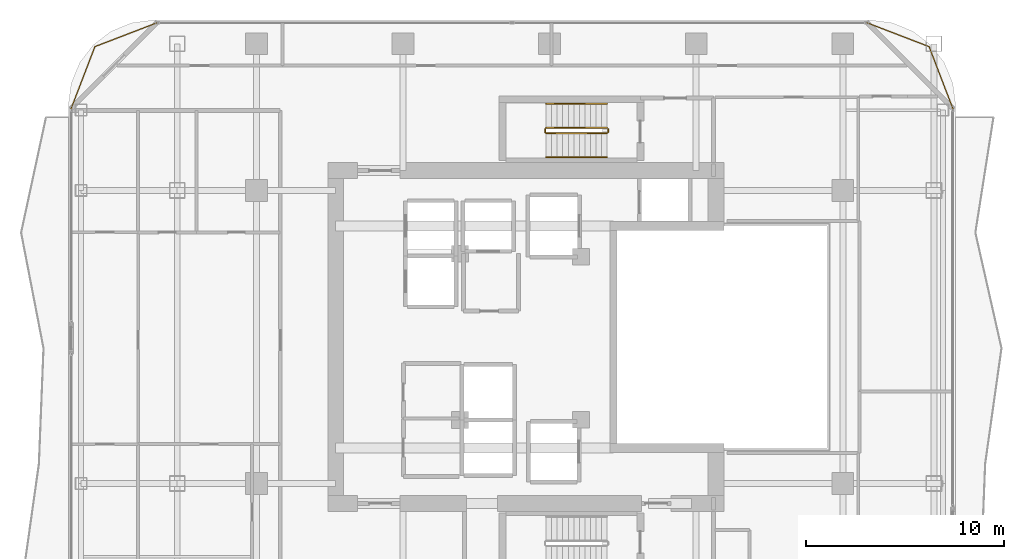
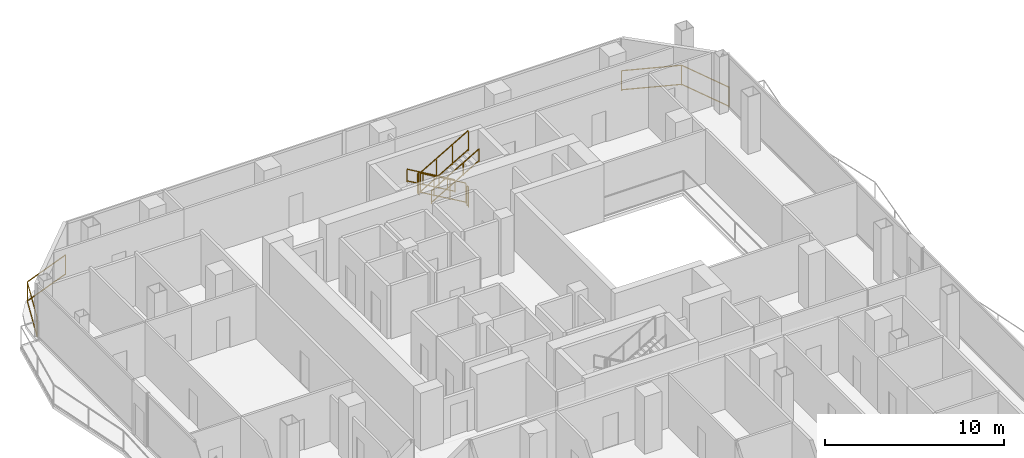
# One storey, part 23 of 23: 8 railings.
"""IFC4 building model written with IfcOpenShell, lengths in metres."""

from ifc_helpers import new_model, si_unit, direction, frame, origin, origin_2d, place, context, subcontext, project, spatial, rectangle, extrude, material, type_object, element, save


model = new_model("IFC4")

# Units and contexts
model_context = context("Model", 3, precision=1e-05, world=origin(), true_north=direction((0.0, 1.0)))
body_context = subcontext(model_context, "Body", "Model", "MODEL_VIEW")
ifc_project = project(units=[si_unit("LENGTHUNIT", "METRE"), si_unit("AREAUNIT", "SQUARE_METRE"), si_unit("VOLUMEUNIT", "CUBIC_METRE"), si_unit("PLANEANGLEUNIT", "RADIAN"), si_unit("MASSUNIT", "GRAM", prefix="KILO")], contexts=[model_context])

# Site, building, storey
site_placement = place(None, origin())
site = spatial("IfcSite", under=ifc_project, at=site_placement, CompositionType="ELEMENT")
building_placement = place(site_placement, origin())
building = spatial("IfcBuilding", under=site, at=building_placement, Name="Khorvyn Point Tower", CompositionType="ELEMENT")
storey_placement = place(building_placement, frame((0.0, 0.0, 207.0)))
storey = spatial("IfcBuildingStorey", under=building, at=storey_placement, Name="L51", CompositionType="ELEMENT", Elevation=207.0)

# Railings
ifc_material_1 = material(Name="Anodised aluminium 6063-T6 and laminated safety glass", Category="aluminium")
railing_type_1 = type_object("IfcRailingType", Name="Laminated Glass and Aluminium Balcony Guardrail 1400", PredefinedType="BALUSTRADE", material=ifc_material_1)
railing_1_placement = place(storey_placement, frame((-19.78125, 15.874267578125, 0.0)))
element("IfcRailing", 1, at=railing_1_placement, inside=storey, type_object=railing_type_1, Name="L51 Rounded Corner Edge Guardrail NW", PredefinedType="BALUSTRADE", context=body_context, shape_type="SweptSolid", body=[
    extrude(rectangle(XDim=0.048095703125, YDim=0.048095703125, at=origin_2d()), frame((0.0, 0.0, 1.3759765625), z_axis=(-0.933589651443, -0.358343916815, 0.0), x_axis=(0.358343916815, -0.933589651443, 0.0)), (0.0, 0.0, 1.0), 3.400390625),
    extrude(rectangle(XDim=0.048095703125, YDim=0.048095703125, at=origin_2d()), frame((0.0, 0.0, 0.080078125), z_axis=(-0.933589651443, -0.358343916815, 0.0), x_axis=(0.358343916815, -0.933589651443, 0.0)), (0.0, 0.0, 1.0), 3.400390625),
    extrude(rectangle(XDim=0.048095703125, YDim=0.048095703125, at=origin_2d()), frame((-3.174560546875, -1.218505859375, 1.3759765625), z_axis=(-0.358343916815, -0.933589651443, 0.0), x_axis=(0.933589651443, -0.358343916815, 0.0)), (0.0, 0.0, 1.0), 3.400390625),
    extrude(rectangle(XDim=0.048095703125, YDim=0.048095703125, at=origin_2d()), frame((-3.174560546875, -1.218505859375, 0.080078125), z_axis=(-0.358343916815, -0.933589651443, 0.0), x_axis=(0.933589651443, -0.358343916815, 0.0)), (0.0, 0.0, 1.0), 3.400390625),
    extrude(rectangle(XDim=0.0419921875, YDim=0.0419921875, at=origin_2d()), origin(), (0.0, 0.0, 1.0), 1.351806640625),
    extrude(rectangle(XDim=0.0419921875, YDim=0.0419921875, at=origin_2d()), frame((-3.174560546875, -1.218505859375, 0.0)), (0.0, 0.0, 1.0), 1.351806640625),
    extrude(rectangle(XDim=0.0419921875, YDim=0.0419921875, at=origin_2d()), frame((-4.39306640625, -4.39306640625, 0.0)), (0.0, 0.0, 1.0), 1.351806640625),
])
railing_2_placement = place(storey_placement, frame((20.374267578125, 11.481201171875, 0.0)))
element("IfcRailing", 2, at=railing_2_placement, inside=storey, type_object=railing_type_1, Name="L51 Rounded Corner Edge Guardrail NE", PredefinedType="BALUSTRADE", context=body_context, shape_type="SweptSolid", body=[
    extrude(rectangle(XDim=0.048095703125, YDim=0.048095703125, at=origin_2d()), frame((0.0, 0.0, 1.3759765625), z_axis=(-0.358343916815, 0.933589651443, 0.0), x_axis=(-0.933589651443, -0.358343916815, 0.0)), (0.0, 0.0, 1.0), 3.400390625),
    extrude(rectangle(XDim=0.048095703125, YDim=0.048095703125, at=origin_2d()), frame((0.0, 0.0, 0.080078125), z_axis=(-0.358343916815, 0.933589651443, 0.0), x_axis=(-0.933589651443, -0.358343916815, 0.0)), (0.0, 0.0, 1.0), 3.400390625),
    extrude(rectangle(XDim=0.048095703125, YDim=0.048095703125, at=origin_2d()), frame((-1.218505859375, 3.174560546875, 1.3759765625), z_axis=(-0.933589651443, 0.358343916815, 0.0), x_axis=(-0.358343916815, -0.933589651443, 0.0)), (0.0, 0.0, 1.0), 3.400390625),
    extrude(rectangle(XDim=0.048095703125, YDim=0.048095703125, at=origin_2d()), frame((-1.218505859375, 3.174560546875, 0.080078125), z_axis=(-0.933589651443, 0.358343916815, 0.0), x_axis=(-0.358343916815, -0.933589651443, 0.0)), (0.0, 0.0, 1.0), 3.400390625),
    extrude(rectangle(XDim=0.0419921875, YDim=0.0419921875, at=origin_2d()), origin(), (0.0, 0.0, 1.0), 1.351806640625),
    extrude(rectangle(XDim=0.0419921875, YDim=0.0419921875, at=origin_2d()), frame((-1.218505859375, 3.174560546875, 0.0)), (0.0, 0.0, 1.0), 1.351806640625),
    extrude(rectangle(XDim=0.0419921875, YDim=0.0419921875, at=origin_2d()), frame((-4.39306640625, 4.39306640625, 0.0)), (0.0, 0.0, 1.0), 1.351806640625),
])
ifc_material_2 = material(Name="Stainless steel 1.4301", Category="steel")
railing_type_2 = type_object("IfcRailingType", Name="Stainless Steel 304 Stair Pitch Handrail 900", PredefinedType="HANDRAIL", material=ifc_material_2)
railing_3_placement = place(storey_placement, frame((2.89990234375, 11.77001953125, 0.16259765625)))
element("IfcRailing", 3, at=railing_3_placement, inside=storey, type_object=railing_type_2, Name="L51 ST-02 stair handrail 1", PredefinedType="HANDRAIL", context=body_context, shape_type="SweptSolid", body=[
    extrude(rectangle(XDim=0.048095703125, YDim=0.048095703125, at=origin_2d()), frame((0.0, 0.0, 0.8759765625), z_axis=(-0.864903211148, 0.0, 0.501938676878), x_axis=(0.0, -1.0, 0.0)), (0.0, 0.0, 1.0), 3.560791015625),
    extrude(rectangle(XDim=0.048095703125, YDim=0.048095703125, at=origin_2d()), frame((0.0, 0.0, 0.080078125), z_axis=(-0.864903211148, 0.0, 0.501938676878), x_axis=(0.0, -1.0, 0.0)), (0.0, 0.0, 1.0), 3.560791015625),
    extrude(rectangle(XDim=0.0419921875, YDim=0.0419921875, at=origin_2d()), origin(), (0.0, 0.0, 1.0), 0.851806640625),
    extrude(rectangle(XDim=0.0419921875, YDim=0.0419921875, at=origin_2d()), frame((-1.026611328125, 0.0, 0.595703125)), (0.0, 0.0, 1.0), 0.851806640625),
    extrude(rectangle(XDim=0.0419921875, YDim=0.0419921875, at=origin_2d()), frame((-2.05322265625, 0.0, 1.191650390625)), (0.0, 0.0, 1.0), 0.851806640625),
    extrude(rectangle(XDim=0.0419921875, YDim=0.0419921875, at=origin_2d()), frame((-3.079833984375, 0.0, 1.787353515625)), (0.0, 0.0, 1.0), 0.851806640625),
])
railing_4_placement = place(storey_placement, frame((-0.179931640625, 9.070068359375, 2.112548828125)))
element("IfcRailing", 4, at=railing_4_placement, inside=storey, type_object=railing_type_2, Name="L51 ST-02 stair handrail 2", PredefinedType="HANDRAIL", context=body_context, shape_type="SweptSolid", body=[
    extrude(rectangle(XDim=0.048095703125, YDim=0.048095703125, at=origin_2d()), frame((0.0, 0.0, 0.8759765625), z_axis=(0.864903211148, 0.0, 0.501938676878), x_axis=(0.0, 1.0, 0.0)), (0.0, 0.0, 1.0), 3.560791015625),
    extrude(rectangle(XDim=0.048095703125, YDim=0.048095703125, at=origin_2d()), frame((0.0, 0.0, 0.080078125), z_axis=(0.864903211148, 0.0, 0.501938676878), x_axis=(0.0, 1.0, 0.0)), (0.0, 0.0, 1.0), 3.560791015625),
    extrude(rectangle(XDim=0.0419921875, YDim=0.0419921875, at=origin_2d()), origin(), (0.0, 0.0, 1.0), 0.851806640625),
    extrude(rectangle(XDim=0.0419921875, YDim=0.0419921875, at=origin_2d()), frame((1.026611328125, 0.0, 0.595703125)), (0.0, 0.0, 1.0), 0.851806640625),
    extrude(rectangle(XDim=0.0419921875, YDim=0.0419921875, at=origin_2d()), frame((2.05322265625, 0.0, 1.191650390625)), (0.0, 0.0, 1.0), 0.851806640625),
    extrude(rectangle(XDim=0.0419921875, YDim=0.0419921875, at=origin_2d()), frame((3.079833984375, 0.0, 1.787353515625)), (0.0, 0.0, 1.0), 0.851806640625),
])
railing_type_3 = type_object("IfcRailingType", Name="Stainless Steel 304 Stair Well Guardrail 1400", PredefinedType="GUARDRAIL", material=ifc_material_2)
railing_5_placement = place(storey_placement, frame((2.89990234375, 10.550048828125, 0.16259765625)))
element("IfcRailing", 5, at=railing_5_placement, inside=storey, type_object=railing_type_3, Name="L51 ST-02 stair guard 1", PredefinedType="GUARDRAIL", context=body_context, shape_type="SweptSolid", body=[
    extrude(rectangle(XDim=0.048095703125, YDim=0.048095703125, at=origin_2d()), frame((0.0, 0.0, 1.3759765625), z_axis=(-0.864903211148, 0.0, 0.501938676878), x_axis=(0.0, -1.0, 0.0)), (0.0, 0.0, 1.0), 3.560791015625),
    extrude(rectangle(XDim=0.048095703125, YDim=0.048095703125, at=origin_2d()), frame((0.0, 0.0, 0.080078125), z_axis=(-0.864903211148, 0.0, 0.501938676878), x_axis=(0.0, -1.0, 0.0)), (0.0, 0.0, 1.0), 3.560791015625),
    extrude(rectangle(XDim=0.0419921875, YDim=0.0419921875, at=origin_2d()), origin(), (0.0, 0.0, 1.0), 1.351806640625),
    extrude(rectangle(XDim=0.0419921875, YDim=0.0419921875, at=origin_2d()), frame((-1.026611328125, 0.0, 0.595703125)), (0.0, 0.0, 1.0), 1.351806640625),
    extrude(rectangle(XDim=0.0419921875, YDim=0.0419921875, at=origin_2d()), frame((-2.05322265625, 0.0, 1.191650390625)), (0.0, 0.0, 1.0), 1.351806640625),
    extrude(rectangle(XDim=0.0419921875, YDim=0.0419921875, at=origin_2d()), frame((-3.079833984375, 0.0, 1.787353515625)), (0.0, 0.0, 1.0), 1.351806640625),
])
railing_6_placement = place(storey_placement, frame((-0.22998046875, 10.5, 1.949951171875)))
element("IfcRailing", 6, at=railing_6_placement, inside=storey, type_object=railing_type_3, Name="L51 ST-02 stair guard 2", PredefinedType="GUARDRAIL", context=body_context, shape_type="SweptSolid", body=[
    extrude(rectangle(XDim=0.048095703125, YDim=0.048095703125, at=origin_2d()), frame((0.0, 0.0, 1.3759765625), z_axis=(0.0, -1.0, 0.0), x_axis=(1.0, 0.0, 0.0)), (0.0, 0.0, 1.0), 0.159912109375),
    extrude(rectangle(XDim=0.048095703125, YDim=0.048095703125, at=origin_2d()), frame((0.0, 0.0, 0.080078125), z_axis=(0.0, -1.0, 0.0), x_axis=(1.0, 0.0, 0.0)), (0.0, 0.0, 1.0), 0.159912109375),
    extrude(rectangle(XDim=0.0419921875, YDim=0.0419921875, at=origin_2d()), origin(), (0.0, 0.0, 1.0), 1.351806640625),
    extrude(rectangle(XDim=0.0419921875, YDim=0.0419921875, at=origin_2d()), frame((0.0, -0.159912109375, 0.0)), (0.0, 0.0, 1.0), 1.351806640625),
])
railing_7_placement = place(storey_placement, frame((-0.179931640625, 10.2900390625, 2.112548828125)))
element("IfcRailing", 7, at=railing_7_placement, inside=storey, type_object=railing_type_3, Name="L51 ST-02 stair guard 3", PredefinedType="GUARDRAIL", context=body_context, shape_type="SweptSolid", body=[
    extrude(rectangle(XDim=0.048095703125, YDim=0.048095703125, at=origin_2d()), frame((0.0, 0.0, 1.3759765625), z_axis=(0.864903211148, 0.0, 0.501938676878), x_axis=(0.0, 1.0, 0.0)), (0.0, 0.0, 1.0), 3.560791015625),
    extrude(rectangle(XDim=0.048095703125, YDim=0.048095703125, at=origin_2d()), frame((0.0, 0.0, 0.080078125), z_axis=(0.864903211148, 0.0, 0.501938676878), x_axis=(0.0, 1.0, 0.0)), (0.0, 0.0, 1.0), 3.560791015625),
    extrude(rectangle(XDim=0.0419921875, YDim=0.0419921875, at=origin_2d()), origin(), (0.0, 0.0, 1.0), 1.351806640625),
    extrude(rectangle(XDim=0.0419921875, YDim=0.0419921875, at=origin_2d()), frame((1.026611328125, 0.0, 0.595703125)), (0.0, 0.0, 1.0), 1.351806640625),
    extrude(rectangle(XDim=0.0419921875, YDim=0.0419921875, at=origin_2d()), frame((2.05322265625, 0.0, 1.191650390625)), (0.0, 0.0, 1.0), 1.351806640625),
    extrude(rectangle(XDim=0.0419921875, YDim=0.0419921875, at=origin_2d()), frame((3.079833984375, 0.0, 1.787353515625)), (0.0, 0.0, 1.0), 1.351806640625),
])
railing_8_placement = place(storey_placement, frame((2.949951171875, 10.5, 0.0)))
element("IfcRailing", 8, at=railing_8_placement, inside=storey, type_object=railing_type_3, Name="L51 ST-02 stair guard 4", PredefinedType="GUARDRAIL", context=body_context, shape_type="SweptSolid", body=[
    extrude(rectangle(XDim=0.048095703125, YDim=0.048095703125, at=origin_2d()), frame((0.0, 0.0, 1.3759765625), z_axis=(0.0, -1.0, 0.0), x_axis=(1.0, 0.0, 0.0)), (0.0, 0.0, 1.0), 0.159912109375),
    extrude(rectangle(XDim=0.048095703125, YDim=0.048095703125, at=origin_2d()), frame((0.0, 0.0, 0.080078125), z_axis=(0.0, -1.0, 0.0), x_axis=(1.0, 0.0, 0.0)), (0.0, 0.0, 1.0), 0.159912109375),
    extrude(rectangle(XDim=0.0419921875, YDim=0.0419921875, at=origin_2d()), origin(), (0.0, 0.0, 1.0), 1.351806640625),
    extrude(rectangle(XDim=0.0419921875, YDim=0.0419921875, at=origin_2d()), frame((0.0, -0.159912109375, 0.0)), (0.0, 0.0, 1.0), 1.351806640625),
])

save(model, "model.ifc")
